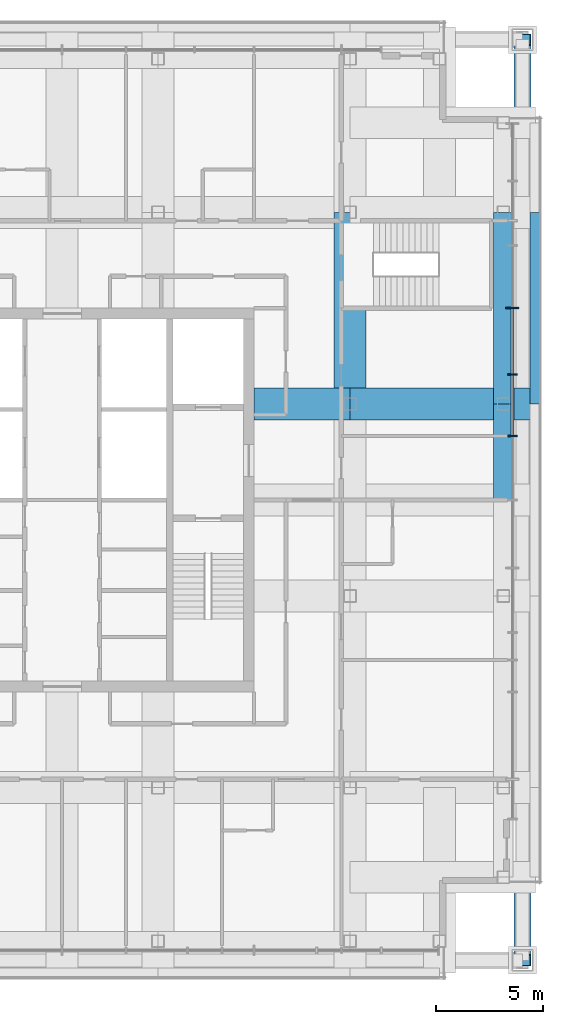
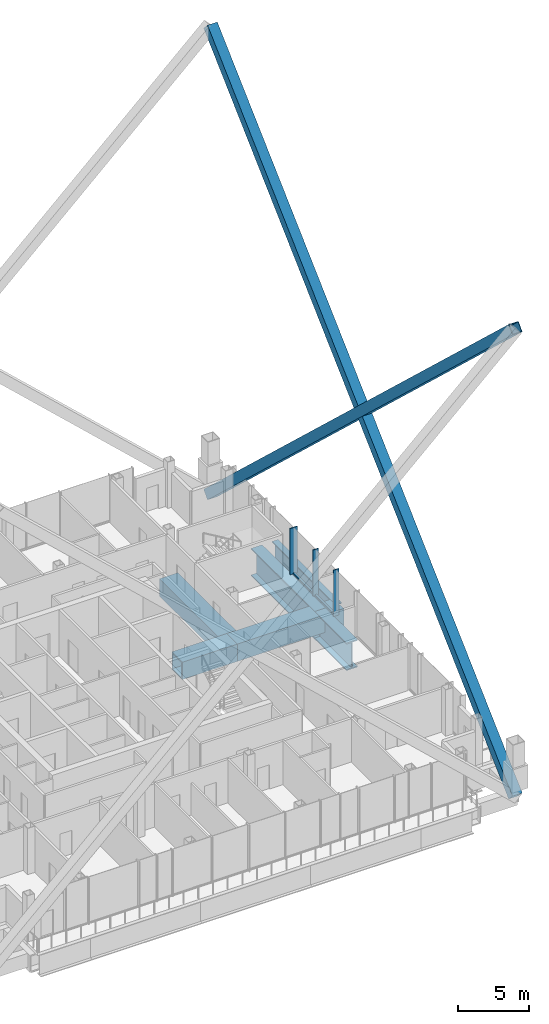
# One storey, part 7 of 19: 7 members, 6 beams, 1 element without a shape of its own.
"""IFC4 building model written with IfcOpenShell, lengths in metres."""

from ifc_helpers import new_model, si_unit, direction, frame, origin, origin_2d, place, context, subcontext, project, spatial, rectangle, hollow_rectangle, i_section, extrude, material, layer, layer_set, material_profile, profile_set, type_object, element, aggregate, save


model = new_model("IFC4")

# Units and contexts
model_context = context("Model", 3, precision=1e-05, world=origin(), true_north=direction((0.0, 1.0)))
body_context = subcontext(model_context, "Body", "Model", "MODEL_VIEW")
ifc_project = project(units=[si_unit("LENGTHUNIT", "METRE"), si_unit("AREAUNIT", "SQUARE_METRE"), si_unit("VOLUMEUNIT", "CUBIC_METRE"), si_unit("PLANEANGLEUNIT", "RADIAN"), si_unit("MASSUNIT", "GRAM", prefix="KILO")], contexts=[model_context])

# Site, building, storey
site_placement = place(None, origin())
site = spatial("IfcSite", under=ifc_project, at=site_placement, CompositionType="ELEMENT")
building_placement = place(site_placement, origin())
building = spatial("IfcBuilding", under=site, at=building_placement, Name="Malebo Sky Hospital", CompositionType="ELEMENT")
storey_placement = place(building_placement, frame((0.0, 0.0, 250.0)))
storey = spatial("IfcBuildingStorey", under=building, at=storey_placement, Name="L60", CompositionType="ELEMENT", Elevation=250.0)

# Curtain wall, members
ifc_material_1 = material(Name="Anodised aluminium, natural silver", Category="aluminium")
ifc_layer = layer(ifc_material_1, 0.25)
ifc_layer_set = layer_set([ifc_layer], Name="WARD CURTAIN WALL EAST AND WEST")
curtain_wall_type = type_object("IfcCurtainWallType", Name="WARD CURTAIN WALL EAST AND WEST", PredefinedType="NOTDEFINED", material=ifc_layer_set)
curtain_wall_placement = place(storey_placement, origin())
curtain_wall = element("IfcCurtainWall", 1, at=curtain_wall_placement, inside=storey, type_object=curtain_wall_type, Name="EW curtain wall E", PredefinedType="NOTDEFINED")
ifc_material_profile_1 = material_profile(ifc_material_1, rectangle(XDim=0.14990234375, YDim=0.10009765625, at=origin_2d()), Name="ALUMINIUM TRANSOM 150x100")
ifc_profile_set_1 = profile_set([ifc_material_profile_1], Name="Anodised aluminium, natural silver")
member_type_1 = type_object("IfcMemberType", Name="ALUMINIUM TRANSOM 150x100", PredefinedType="USERDEFINED", material=ifc_profile_set_1)
member_1_placement = place(storey_placement, frame((81.125, 70.96240234375, 0.050048828125), z_axis=(0.0, -1.0, 0.0), x_axis=(1.0, 0.0, 0.0)))
member_1 = element("IfcMember", 2, at=member_1_placement, type_object=member_type_1, Name="Transom 5", ObjectType="TRANSOM", PredefinedType="USERDEFINED", context=body_context, shape_type="SweptSolid", body=[
    extrude(rectangle(XDim=0.14990234375, YDim=0.10009765625, at=origin_2d()), origin(), (0.0, 0.0, 1.0), 3.033935546875),
])
member_2_placement = place(storey_placement, frame((81.125, 67.853515625, 0.050048828125), z_axis=(0.0, -1.0, 0.0), x_axis=(1.0, 0.0, 0.0)))
member_2 = element("IfcMember", 3, at=member_2_placement, type_object=member_type_1, Name="Transom 6", ObjectType="TRANSOM", PredefinedType="USERDEFINED", context=body_context, shape_type="SweptSolid", body=[
    extrude(rectangle(XDim=0.14990234375, YDim=0.10009765625, at=origin_2d()), origin(), (0.0, 0.0, 1.0), 2.81591796875),
])
ifc_material_profile_2 = material_profile(ifc_material_1, rectangle(XDim=0.074951171875, YDim=0.449951171875, at=origin_2d()), Name="CW2 ALUMINIUM FIN MULLION 75x450")
ifc_profile_set_2 = profile_set([ifc_material_profile_2], Name="Anodised aluminium, natural silver")
member_type_2 = type_object("IfcMemberType", Name="CW2 ALUMINIUM FIN MULLION 75x450", PredefinedType="MULLION", material=ifc_profile_set_2)
member_3_placement = place(storey_placement, frame((81.125, 67.890869140625, 0.0), z_axis=(0.0, 0.0, 1.0), x_axis=(0.0, -1.0, 0.0)))
member_3 = element("IfcMember", 4, at=member_3_placement, type_object=member_type_2, Name="Fin mullion 6", PredefinedType="MULLION", context=body_context, shape_type="SweptSolid", body=[
    extrude(rectangle(XDim=0.074951171875, YDim=0.449951171875, at=origin_2d()), origin(), (0.0, 0.0, 1.0), 4.0),
])
member_4_placement = place(storey_placement, frame((81.125, 65.0, 0.0), z_axis=(0.0, 0.0, 1.0), x_axis=(0.0, -1.0, 0.0)))
member_4 = element("IfcMember", 5, at=member_4_placement, type_object=member_type_2, Name="Fin mullion 7", PredefinedType="MULLION", context=body_context, shape_type="SweptSolid", body=[
    extrude(rectangle(XDim=0.074951171875, YDim=0.449951171875, at=origin_2d()), origin(), (0.0, 0.0, 1.0), 4.0),
])
ifc_material_profile_3 = material_profile(ifc_material_1, rectangle(XDim=0.074951171875, YDim=0.60009765625, at=origin_2d()), Name="CW2 ALUMINIUM FIN MULLION 75x600")
ifc_profile_set_3 = profile_set([ifc_material_profile_3], Name="Anodised aluminium, natural silver")
member_type_3 = type_object("IfcMemberType", Name="CW2 ALUMINIUM FIN MULLION 75x600", PredefinedType="MULLION", material=ifc_profile_set_3)
member_5_placement = place(storey_placement, frame((81.125, 71.0, 0.0), z_axis=(0.0, 0.0, 1.0), x_axis=(0.0, -1.0, 0.0)))
member_5 = element("IfcMember", 6, at=member_5_placement, type_object=member_type_3, Name="Fin mullion 5", PredefinedType="MULLION", context=body_context, shape_type="SweptSolid", body=[
    extrude(rectangle(XDim=0.074951171875, YDim=0.60009765625, at=origin_2d()), origin(), (0.0, 0.0, 1.0), 4.0),
])
aggregate(curtain_wall, [member_5, member_3, member_4, member_1, member_2])

# Members
ifc_material_2 = material(Name="Steel S460", Category="steel")
ifc_material_profile_4 = material_profile(ifc_material_2, hollow_rectangle(XDim=0.800048828125, YDim=0.800048828125, WallThickness=0.0400390625, at=origin_2d()), Name="BOX 800x800x40")
ifc_profile_set_4 = profile_set([ifc_material_profile_4], Name="Steel S460")
member_type_4 = type_object("IfcMemberType", Name="MEGA BRACE BOX 800x800x40", PredefinedType="BRACE", material=ifc_profile_set_4)
for number, where, z_axis, x_axis, name in (
    (7, (81.60009765625, 40.39990234375, -0.85009765625), (0.0, 0.729958512274, 0.683491455951), (-1.0, 0.0, 0.0), "Mega brace D1E1 L60-RF"),
    (8, (81.60009765625, 83.60009765625, -0.85009765625), (0.0, -0.729958512274, 0.683491455951), (1.0, 0.0, 0.0), "Mega brace D1E2 L60-RF"),
):
    element("IfcMember", number, at=place(storey_placement, frame(where, z_axis=z_axis, x_axis=x_axis)), inside=storey, type_object=member_type_4, Name=name, PredefinedType="BRACE", context=body_context, shape_type="SweptSolid", body=[
        extrude(hollow_rectangle(XDim=0.800048828125, YDim=0.800048828125, WallThickness=0.0400390625, at=origin_2d()), origin(), (0.0, 0.0, 1.0), 59.181640625),
    ])

# Beams
ifc_material_profile_5 = material_profile(ifc_material_2, hollow_rectangle(XDim=1.5, YDim=1.5, WallThickness=0.10009765625, at=origin_2d()), Name="BOX 1500x1500x100")
ifc_profile_set_5 = profile_set([ifc_material_profile_5], Name="Steel S460")
beam_type_1 = type_object("IfcBeamType", Name="TRANSFER GIRDER BOX 1500x1500x100", PredefinedType="BEAM", material=ifc_profile_set_5)
beam_1_placement = place(storey_placement, frame((73.5, 66.5, -1.0), z_axis=(0.0, 1.0, 0.0), x_axis=(-1.0, 0.0, 0.0)))
element("IfcBeam", 9, at=beam_1_placement, inside=storey, type_object=beam_type_1, Name="Beam 026 L60", PredefinedType="BEAM", context=body_context, shape_type="SweptSolid", body=[
    extrude(hollow_rectangle(XDim=1.5, YDim=1.5, WallThickness=0.10009765625, at=origin_2d()), origin(), (0.0, 0.0, 1.0), 9.0),
])
beam_2_placement = place(storey_placement, frame((69.0, 66.5, -1.0), z_axis=(1.0, 0.0, 0.0), x_axis=(0.0, 1.0, 0.0)))
element("IfcBeam", 10, at=beam_2_placement, inside=storey, type_object=beam_type_1, Name="Beam 057 L60", PredefinedType="BEAM", context=body_context, shape_type="SweptSolid", body=[
    extrude(hollow_rectangle(XDim=1.5, YDim=1.5, WallThickness=0.10009765625, at=origin_2d()), origin(), (0.0, 0.0, 1.0), 4.5),
])
beam_3_placement = place(storey_placement, frame((73.5, 66.5, -1.0), z_axis=(1.0, 0.0, 0.0), x_axis=(0.0, 1.0, 0.0)))
element("IfcBeam", 11, at=beam_3_placement, inside=storey, type_object=beam_type_1, Name="Beam 058 L60", PredefinedType="BEAM", context=body_context, shape_type="SweptSolid", body=[
    extrude(hollow_rectangle(XDim=1.5, YDim=1.5, WallThickness=0.10009765625, at=origin_2d()), origin(), (0.0, 0.0, 1.0), 8.699951171875),
])
ifc_material_3 = material(Name="Steel S355", Category="steel")
ifc_material_profile_6 = material_profile(ifc_material_3, i_section(OverallWidth=0.5, OverallDepth=2.0, WebThickness=0.0400390625, FlangeThickness=0.080078125, at=origin_2d()), Name="PG 2000x500x40x80")
ifc_profile_set_6 = profile_set([ifc_material_profile_6], Name="Steel S355")
beam_type_2 = type_object("IfcBeamType", Name="TRANSFER GIRDER PG 2000x500x40x80", PredefinedType="BEAM", material=ifc_profile_set_6)
beam_4_placement = place(storey_placement, frame((82.199951171875, 66.5, -1.25), z_axis=(0.0, 1.0, 0.0), x_axis=(-1.0, 0.0, 0.0)))
element("IfcBeam", 12, at=beam_4_placement, inside=storey, type_object=beam_type_2, Name="Beam 034 L60", PredefinedType="BEAM", context=body_context, shape_type="SweptSolid", body=[
    extrude(i_section(OverallWidth=0.5, OverallDepth=2.0, WebThickness=0.0400390625, FlangeThickness=0.080078125, at=origin_2d()), origin(), (0.0, 0.0, 1.0), 9.0),
])
ifc_material_profile_7 = material_profile(ifc_material_3, i_section(OverallWidth=0.89990234375, OverallDepth=2.39990234375, WebThickness=0.050048828125, FlangeThickness=0.10009765625, at=origin_2d()), Name="PG 2400x900x50x100")
ifc_profile_set_7 = profile_set([ifc_material_profile_7], Name="Steel S355")
beam_type_3 = type_object("IfcBeamType", Name="TRANSFER GIRDER PG 2400x900x50x100", PredefinedType="BEAM", material=ifc_profile_set_7)
beam_5_placement = place(storey_placement, frame((80.699951171875, 62.0, -1.449951171875), z_axis=(0.0, 1.0, 0.0), x_axis=(-1.0, 0.0, 0.0)))
element("IfcBeam", 13, at=beam_5_placement, inside=storey, type_object=beam_type_3, Name="Beam 030d L60", PredefinedType="BEAM", context=body_context, shape_type="SweptSolid", body=[
    extrude(i_section(OverallWidth=0.89990234375, OverallDepth=2.39990234375, WebThickness=0.050048828125, FlangeThickness=0.10009765625, at=origin_2d()), origin(), (0.0, 0.0, 1.0), 4.5),
])
beam_6_placement = place(storey_placement, frame((80.699951171875, 66.5, -1.449951171875), z_axis=(0.0, 1.0, 0.0), x_axis=(-1.0, 0.0, 0.0)))
element("IfcBeam", 14, at=beam_6_placement, inside=storey, type_object=beam_type_3, Name="Beam 030e L60", PredefinedType="BEAM", context=body_context, shape_type="SweptSolid", body=[
    extrude(i_section(OverallWidth=0.89990234375, OverallDepth=2.39990234375, WebThickness=0.050048828125, FlangeThickness=0.10009765625, at=origin_2d()), origin(), (0.0, 0.0, 1.0), 9.0),
])

save(model, "model.ifc")
